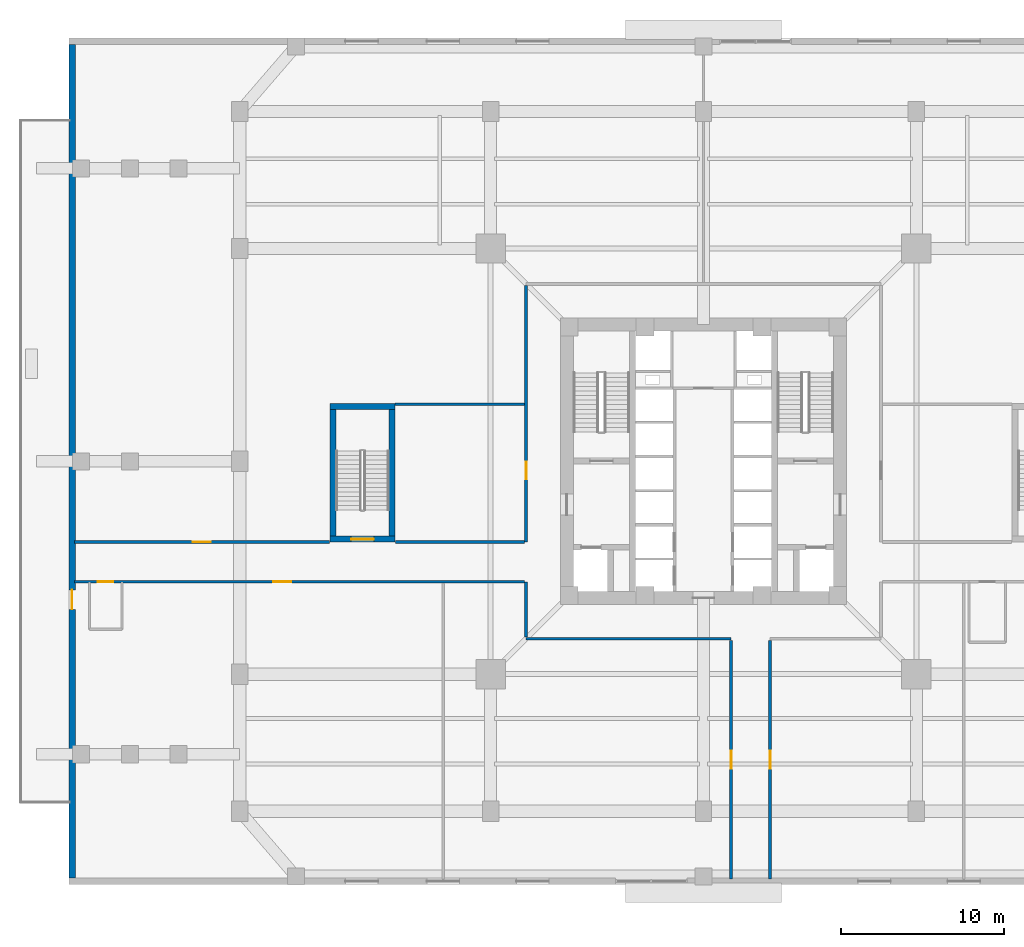
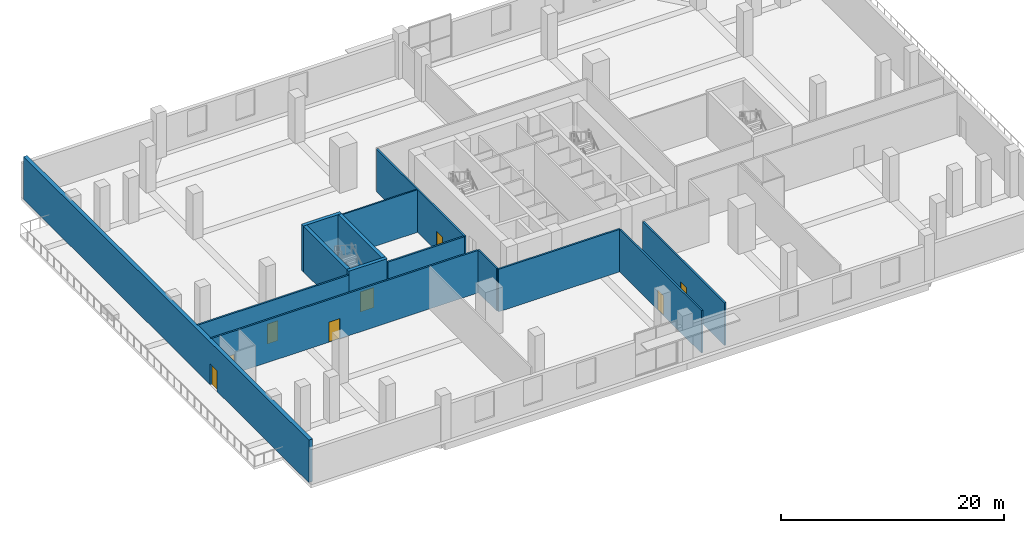
# One storey, part 6 of 17: 14 walls, 8 doors, 8 openings.
"""IFC4 building model written with IfcOpenShell, lengths in metres."""

from ifc_helpers import new_model, si_unit, direction, frame, frame_2d, origin, place, context, subcontext, project, spatial, rectangle, extrude, source, transform, mapped, material, layer, layer_set, type_object, element, fill, save


model = new_model("IFC4")

# Units and contexts
model_context = context("Model", 3, precision=1e-05, world=origin(), true_north=direction((0.0, 1.0)))
body_context = subcontext(model_context, "Body", "Model", "MODEL_VIEW")
ifc_project = project(units=[si_unit("LENGTHUNIT", "METRE"), si_unit("AREAUNIT", "SQUARE_METRE"), si_unit("VOLUMEUNIT", "CUBIC_METRE"), si_unit("PLANEANGLEUNIT", "RADIAN"), si_unit("MASSUNIT", "GRAM", prefix="KILO"), si_unit("THERMODYNAMICTEMPERATUREUNIT", "KELVIN")], contexts=[model_context])

# Site, building, storey
site_placement = place(None, origin())
site = spatial("IfcSite", under=ifc_project, at=site_placement, CompositionType="ELEMENT")
building_placement = place(site_placement, origin())
building = spatial("IfcBuilding", under=site, at=building_placement, Name="Kosmvard Interchange Tower", CompositionType="ELEMENT")
storey_placement = place(building_placement, frame((0.0, 0.0, 6.0)))
storey = spatial("IfcBuildingStorey", under=building, at=storey_placement, Name="L01", CompositionType="ELEMENT", Elevation=6.0)

# Walls
ifc_material_1 = material(Name="Acoustic gypsum partition system")
ifc_layer_1 = layer(ifc_material_1, 0.14990234375, Name="Acoustic gypsum partition system")
ifc_layer_set_1 = layer_set([ifc_layer_1], Name="Acoustic gypsum partition system")
wall_type_1 = type_object("IfcWallType", Name="Acoustic Suite & Meeting Partition 150", PredefinedType="PARTITIONING", material=ifc_layer_set_1)
wall_1_placement = place(storey_placement, frame((-18.9599609375, 3.5, 0.0), z_axis=(0.0, 0.0, 1.0), x_axis=(1.0, 0.0, 0.0)))
element("IfcWall", 1, at=wall_1_placement, inside=storey, type_object=wall_type_1, Name="L01 Room Partition 02.1", PredefinedType="PARTITIONING", context=body_context, shape_type="SweptSolid", body=[
    extrude(rectangle(XDim=7.96484375, YDim=0.14990234375, at=frame_2d((3.982421875, 0.0))), origin(), (0.0, 0.0, 1.0), 4.659912109375),
])
ifc_material_2 = material(Name="Fire-rated gypsum partition system")
ifc_layer_2 = layer(ifc_material_2, 0.179931640625, Name="Fire-rated gypsum partition system")
ifc_layer_set_2 = layer_set([ifc_layer_2], Name="Fire-rated gypsum partition system")
wall_type_2 = type_object("IfcWallType", Name="Corridor & Hotel Compartment Partition 180", PredefinedType="PARTITIONING", material=ifc_layer_set_2)
wall_2_placement = place(storey_placement, frame((-10.89990234375, -10.89990234375, 0.0), z_axis=(0.0, 0.0, 1.0), x_axis=(1.0, 0.0, 0.0)))
element("IfcWall", 2, at=wall_2_placement, inside=storey, type_object=wall_type_2, Name="L01 Corridor Wall CSW", PredefinedType="PARTITIONING", context=body_context, shape_type="SweptSolid", body=[
    extrude(rectangle(XDim=12.599853515625, YDim=0.179931640625, at=frame_2d((6.2998046875, 0.0))), origin(), (0.0, 0.0, 1.0), 4.659912109375),
])
wall_3_placement = place(storey_placement, frame((-10.89990234375, -10.800048828125, 0.0), z_axis=(0.0, 0.0, 1.0), x_axis=(0.0, 1.0, 0.0)))
element("IfcWall", 3, at=wall_3_placement, inside=storey, type_object=wall_type_2, Name="L01 Corridor Wall CWS", PredefinedType="PARTITIONING", context=body_context, shape_type="SweptSolid", body=[
    extrude(rectangle(XDim=3.400146484375, YDim=0.179931640625, at=frame_2d((1.7001953125, 0.0))), origin(), (0.0, 0.0, 1.0), 4.659912109375),
])

# Wall, opening, door
wall_4_placement = place(storey_placement, frame((-10.89990234375, -4.9599609375, 0.0), z_axis=(0.0, 0.0, 1.0), x_axis=(0.0, 1.0, 0.0)))
wall_4 = element("IfcWall", 4, at=wall_4_placement, inside=storey, type_object=wall_type_2, Name="L01 Corridor Wall CWN", PredefinedType="PARTITIONING", context=body_context, shape_type="SweptSolid", body=[
    extrude(rectangle(XDim=15.760009765625, YDim=0.179931640625, at=frame_2d((7.8798828125, 0.0))), origin(), (0.0, 0.0, 1.0), 4.659912109375),
])
opening_1_placement = place(wall_4_placement, frame((3.844482421875, 0.0, 0.0)))
opening_1 = element("IfcOpeningElement", 5, at=opening_1_placement, cuts=wall_4, Name="Opening L01-D05", PredefinedType="OPENING", context=body_context, shape_type="SweptSolid", body=[
    extrude(rectangle(XDim=1.10009765625, YDim=2.199951171875, at=frame_2d((0.550048828125, 1.10009765625))), frame((0.0, 0.10009765625, 0.0), z_axis=(0.0, -1.0, 0.0), x_axis=(1.0, 0.0, 0.0)), (0.0, 0.0, 1.0), 0.199951171875),
])
ifc_material_3 = material(Name="Engineered oak fire-rated timber", Category="wood")
door_type_1 = type_object("IfcDoorType", Name="Office Suite Entrance Door 1100x2200 FD30S", OperationType="NOTDEFINED", PredefinedType="DOOR", material=ifc_material_3)
shared_shape_1 = source(origin(), body_context, "Body", "SweptSolid", [
    extrude(rectangle(XDim=1.10009765625, YDim=2.199951171875, at=frame_2d((0.550048828125, 1.10009765625))), frame((0.0, 0.02490234375, 0.0), z_axis=(0.0, -1.0, 0.0), x_axis=(1.0, 0.0, 0.0)), (0.0, 0.0, 1.0), 0.050048828125),
])
door_1_placement = place(opening_1_placement, origin())
door_1 = element("IfcDoor", 6, at=door_1_placement, inside=storey, type_object=door_type_1, Name="L01 L01 Restaurant Catering Kitchen Door", OperationType="SINGLE_SWING_LEFT", OverallHeight=2.199951171875, OverallWidth=1.10009765625, PredefinedType="DOOR", context=body_context, shape_type="MappedRepresentation", body=[
    mapped(shared_shape_1, transform((0.0, 0.0, 0.0), scale=1.0)),
])
fill(opening_1, door_1)

# Wall, openings, doors
wall_5_placement = place(storey_placement, frame((-38.6650390625, -7.39990234375, 0.0), z_axis=(0.0, 0.0, 1.0), x_axis=(1.0, 0.0, 0.0)))
wall_5 = element("IfcWall", 7, at=wall_5_placement, inside=storey, type_object=wall_type_2, Name="L01 Corridor Wall SWS", PredefinedType="PARTITIONING", context=body_context, shape_type="SweptSolid", body=[
    extrude(rectangle(XDim=27.6650390625, YDim=0.179931640625, at=frame_2d((13.83251953125, 0.0))), origin(), (0.0, 0.0, 1.0), 4.659912109375),
])
opening_2_placement = place(wall_5_placement, frame((1.455078125, 0.0, 0.0)))
opening_2 = element("IfcOpeningElement", 8, at=opening_2_placement, cuts=wall_5, Name="Opening L01-D01", PredefinedType="OPENING", context=body_context, shape_type="SweptSolid", body=[
    extrude(rectangle(XDim=0.949951171875, YDim=2.10009765625, at=frame_2d((0.47509765625, 1.050048828125))), frame((0.0, 0.10009765625, 0.0), z_axis=(0.0, -1.0, 0.0), x_axis=(1.0, 0.0, 0.0)), (0.0, 0.0, 1.0), 0.199951171875),
])
opening_3_placement = place(wall_5_placement, frame((12.241455078125, 0.0, 0.0)))
opening_3 = element("IfcOpeningElement", 9, at=opening_3_placement, cuts=wall_5, Name="Opening L01-D07", PredefinedType="OPENING", context=body_context, shape_type="SweptSolid", body=[
    extrude(rectangle(XDim=1.10009765625, YDim=2.199951171875, at=frame_2d((0.550048828125, 1.10009765625))), frame((0.0, 0.10009765625, 0.0), z_axis=(0.0, -1.0, 0.0), x_axis=(1.0, 0.0, 0.0)), (0.0, 0.0, 1.0), 0.199951171875),
])
ifc_material_4 = material(Name="Laminated moisture-resistant timber", Category="wood")
door_type_2 = type_object("IfcDoorType", Name="Accessible Washroom Door 950x2100", OperationType="NOTDEFINED", PredefinedType="DOOR", material=ifc_material_4)
shared_shape_2 = source(origin(), body_context, "Body", "SweptSolid", [
    extrude(rectangle(XDim=0.949951171875, YDim=2.10009765625, at=frame_2d((0.47509765625, 1.050048828125))), frame((0.0, 0.02490234375, 0.0), z_axis=(0.0, -1.0, 0.0), x_axis=(1.0, 0.0, 0.0)), (0.0, 0.0, 1.0), 0.050048828125),
])
door_2_placement = place(opening_2_placement, frame((0.949951171875, 0.0, 0.0), z_axis=(0.0, 0.0, 1.0), x_axis=(-1.0, 0.0, 0.0)))
door_2 = element("IfcDoor", 10, at=door_2_placement, inside=storey, type_object=door_type_2, Name="L01 Accessible Toilet Door", OperationType="SINGLE_SWING_LEFT", OverallHeight=2.10009765625, OverallWidth=0.949951171875, PredefinedType="DOOR", context=body_context, shape_type="MappedRepresentation", body=[
    mapped(shared_shape_2, transform((0.0, 0.0, 0.0), scale=1.0)),
])
fill(opening_2, door_2)
door_3_placement = place(opening_3_placement, frame((1.10009765625, 0.0, 0.0), z_axis=(0.0, 0.0, 1.0), x_axis=(-1.0, 0.0, 0.0)))
door_3 = element("IfcDoor", 11, at=door_3_placement, inside=storey, type_object=door_type_1, Name="L01 L01 West Cascade Terrace Shop Door", OperationType="SINGLE_SWING_LEFT", OverallHeight=2.199951171875, OverallWidth=1.10009765625, PredefinedType="DOOR", context=body_context, shape_type="MappedRepresentation", body=[
    mapped(shared_shape_1, transform((0.0, 0.0, 0.0), scale=1.0)),
])
fill(opening_3, door_3)

# Wall, opening, door
wall_6_placement = place(storey_placement, frame((-38.6650390625, -4.9599609375, 0.0), z_axis=(0.0, 0.0, 1.0), x_axis=(1.0, 0.0, 0.0)))
wall_6 = element("IfcWall", 12, at=wall_6_placement, inside=storey, type_object=wall_type_2, Name="L01 Corridor Wall SWN1", PredefinedType="PARTITIONING", context=body_context, shape_type="SweptSolid", body=[
    extrude(rectangle(XDim=15.68505859375, YDim=0.179931640625, at=frame_2d((7.842529296875, 0.0))), origin(), (0.0, 0.0, 1.0), 4.659912109375),
])
opening_4_placement = place(wall_6_placement, frame((7.29248046875, 0.0, 0.0)))
opening_4 = element("IfcOpeningElement", 13, at=opening_4_placement, cuts=wall_6, Name="Opening L01-D03", PredefinedType="OPENING", context=body_context, shape_type="SweptSolid", body=[
    extrude(rectangle(XDim=1.10009765625, YDim=2.199951171875, at=frame_2d((0.550048828125, 1.10009765625))), frame((0.0, 0.10009765625, 0.0), z_axis=(0.0, -1.0, 0.0), x_axis=(1.0, 0.0, 0.0)), (0.0, 0.0, 1.0), 0.199951171875),
])
door_4_placement = place(opening_4_placement, origin())
door_4 = element("IfcDoor", 14, at=door_4_placement, inside=storey, type_object=door_type_1, Name="L01 L01 West Retail Gallery Door", OperationType="SINGLE_SWING_LEFT", OverallHeight=2.199951171875, OverallWidth=1.10009765625, PredefinedType="DOOR", context=body_context, shape_type="MappedRepresentation", body=[
    mapped(shared_shape_1, transform((0.0, 0.0, 0.0), scale=1.0)),
])
fill(opening_4, door_4)

# Wall
wall_7_placement = place(storey_placement, frame((-18.919921875, -4.9599609375, 0.0), z_axis=(0.0, 0.0, 1.0), x_axis=(1.0, 0.0, 0.0)))
element("IfcWall", 15, at=wall_7_placement, inside=storey, type_object=wall_type_2, Name="L01 Corridor Wall SWN2", PredefinedType="PARTITIONING", context=body_context, shape_type="SweptSolid", body=[
    extrude(rectangle(XDim=7.919921875, YDim=0.179931640625, at=frame_2d((3.9599609375, 0.0))), origin(), (0.0, 0.0, 1.0), 4.659912109375),
])

# Wall, opening, door
wall_8_placement = place(storey_placement, frame((1.699951171875, -25.6650390625, 0.0), z_axis=(0.0, 0.0, 1.0), x_axis=(0.0, 1.0, 0.0)))
wall_8 = element("IfcWall", 16, at=wall_8_placement, inside=storey, type_object=wall_type_2, Name="L01 Corridor Wall SSW", PredefinedType="PARTITIONING", context=body_context, shape_type="SweptSolid", body=[
    extrude(rectangle(XDim=14.6650390625, YDim=0.179931640625, at=frame_2d((7.33251953125, 0.0))), origin(), (0.0, 0.0, 1.0), 4.659912109375),
])
opening_5_placement = place(wall_8_placement, frame((6.782470703125, 0.0, 0.0)))
opening_5 = element("IfcOpeningElement", 17, at=opening_5_placement, cuts=wall_8, Name="Opening L01-D08", PredefinedType="OPENING", context=body_context, shape_type="SweptSolid", body=[
    extrude(rectangle(XDim=1.10009765625, YDim=2.199951171875, at=frame_2d((0.550048828125, 1.10009765625))), frame((0.0, 0.10009765625, 0.0), z_axis=(0.0, -1.0, 0.0), x_axis=(1.0, 0.0, 0.0)), (0.0, 0.0, 1.0), 0.199951171875),
])
door_5_placement = place(opening_5_placement, origin())
door_5 = element("IfcDoor", 18, at=door_5_placement, inside=storey, type_object=door_type_1, Name="L01 L01 Passenger Dining Restaurant Door", OperationType="SINGLE_SWING_RIGHT", OverallHeight=2.199951171875, OverallWidth=1.10009765625, PredefinedType="DOOR", context=body_context, shape_type="MappedRepresentation", body=[
    mapped(shared_shape_1, transform((0.0, 0.0, 0.0), scale=1.0)),
])
fill(opening_5, door_5)

wall_9_placement = place(storey_placement, frame((4.10009765625, -25.6650390625, 0.0), z_axis=(0.0, 0.0, 1.0), x_axis=(0.0, 1.0, 0.0)))
wall_9 = element("IfcWall", 19, at=wall_9_placement, inside=storey, type_object=wall_type_2, Name="L01 Corridor Wall SSE", PredefinedType="PARTITIONING", context=body_context, shape_type="SweptSolid", body=[
    extrude(rectangle(XDim=14.6650390625, YDim=0.179931640625, at=frame_2d((7.33251953125, 0.0))), origin(), (0.0, 0.0, 1.0), 4.659912109375),
])
opening_6_placement = place(wall_9_placement, frame((6.782470703125, 0.0, 0.0)))
opening_6 = element("IfcOpeningElement", 20, at=opening_6_placement, cuts=wall_9, Name="Opening L01-D09", PredefinedType="OPENING", context=body_context, shape_type="SweptSolid", body=[
    extrude(rectangle(XDim=1.10009765625, YDim=2.199951171875, at=frame_2d((0.550048828125, 1.10009765625))), frame((0.0, 0.10009765625, 0.0), z_axis=(0.0, -1.0, 0.0), x_axis=(1.0, 0.0, 0.0)), (0.0, 0.0, 1.0), 0.199951171875),
])
door_6_placement = place(opening_6_placement, frame((1.10009765625, 0.0, 0.0), z_axis=(0.0, 0.0, 1.0), x_axis=(-1.0, 0.0, 0.0)))
door_6 = element("IfcDoor", 21, at=door_6_placement, inside=storey, type_object=door_type_1, Name="L01 L01 Espresso Terrace Bistro Door", OperationType="SINGLE_SWING_LEFT", OverallHeight=2.199951171875, OverallWidth=1.10009765625, PredefinedType="DOOR", context=body_context, shape_type="MappedRepresentation", body=[
    mapped(shared_shape_1, transform((0.0, 0.0, 0.0), scale=1.0)),
])
fill(opening_6, door_6)

ifc_material_5 = material(Name="Precast concrete C45/55", Category="concrete")
ifc_layer_3 = layer(ifc_material_5, 0.39990234375, Name="Precast concrete C45/55")
ifc_layer_set_3 = layer_set([ifc_layer_3], Name="Precast concrete C45/55")
wall_type_3 = type_object("IfcWallType", Name="Podium Precast Stone Pier Wall 400 C45/55", PredefinedType="STANDARD", material=ifc_layer_set_3)
wall_10_placement = place(storey_placement, frame((-38.800048828125, -25.60009765625, 0.0), z_axis=(0.0, 0.0, 1.0), x_axis=(0.0, 1.0, 0.0)))
wall_10 = element("IfcWall", 22, at=wall_10_placement, inside=storey, type_object=wall_type_3, Name="L01 Podium Precast Wall EW-W", PredefinedType="STANDARD", context=body_context, shape_type="SweptSolid", body=[
    extrude(rectangle(XDim=51.2001953125, YDim=0.39990234375, at=frame_2d((25.60009765625, 0.0))), origin(), (0.0, 0.0, 1.0), 4.659912109375),
])
opening_7_placement = place(wall_10_placement, frame((16.5, 0.0, 0.0)))
opening_7 = element("IfcOpeningElement", 23, at=opening_7_placement, cuts=wall_10, Name="Opening L01-TDW", PredefinedType="OPENING", context=body_context, shape_type="SweptSolid", body=[
    extrude(rectangle(XDim=1.199951171875, YDim=2.300048828125, at=frame_2d((0.60009765625, 1.14990234375))), frame((0.0, 0.2099609375, 0.0), z_axis=(0.0, -1.0, 0.0), x_axis=(1.0, 0.0, 0.0)), (0.0, 0.0, 1.0), 0.419921875),
])
ifc_material_6 = material(Name="Anodised aluminium and safety glass", Category="aluminium")
door_type_3 = type_object("IfcDoorType", Name="Cascade Terrace Glazed Door 1200x2300", OperationType="NOTDEFINED", PredefinedType="DOOR", material=ifc_material_6)
shared_shape_3 = source(origin(), body_context, "Body", "SweptSolid", [
    extrude(rectangle(XDim=1.199951171875, YDim=2.300048828125, at=frame_2d((0.60009765625, 1.14990234375))), frame((0.0, 0.02490234375, 0.0), z_axis=(0.0, -1.0, 0.0), x_axis=(1.0, 0.0, 0.0)), (0.0, 0.0, 1.0), 0.050048828125),
])
door_7_placement = place(opening_7_placement, frame((1.199951171875, 0.0, 0.0), z_axis=(0.0, 0.0, 1.0), x_axis=(-1.0, 0.0, 0.0)))
door_7 = element("IfcDoor", 24, at=door_7_placement, inside=storey, type_object=door_type_3, Name="L01 West Cascading Terrace Door", OperationType="SINGLE_SWING_LEFT", OverallHeight=2.300048828125, OverallWidth=1.199951171875, PredefinedType="DOOR", context=body_context, shape_type="MappedRepresentation", body=[
    mapped(shared_shape_3, transform((0.0, 0.0, 0.0), scale=1.0)),
])
fill(opening_7, door_7)

ifc_material_7 = material(Name="Concrete C60/75", Category="concrete")
ifc_layer_4 = layer(ifc_material_7, 0.360107421875, Name="Concrete C60/75")
ifc_layer_set_4 = layer_set([ifc_layer_4], Name="Concrete C60/75")
wall_type_4 = type_object("IfcWallType", Name="Stair & Lift Shaft Shear Wall 360 C60/75", PredefinedType="SHEAR", material=ifc_layer_set_4)
wall_11_placement = place(storey_placement, frame((-22.93994140625, -4.780029296875, 0.0), z_axis=(0.0, 0.0, 1.0), x_axis=(1.0, 0.0, 0.0)))
wall_11 = element("IfcWall", 25, at=wall_11_placement, inside=storey, type_object=wall_type_4, Name="L01 Podium Stair Shear Wall ST3S", PredefinedType="SHEAR", context=body_context, shape_type="SweptSolid", body=[
    extrude(rectangle(XDim=3.97998046875, YDim=0.360107421875, at=frame_2d((1.989990234375, 0.0))), origin(), (0.0, 0.0, 1.0), 5.0),
])
opening_8_placement = place(wall_11_placement, frame((1.2900390625, 0.0, 0.0)))
opening_8 = element("IfcOpeningElement", 26, at=opening_8_placement, cuts=wall_11, Name="Opening L01-SD3", PredefinedType="OPENING", context=body_context, shape_type="SweptSolid", body=[
    extrude(rectangle(XDim=1.39990234375, YDim=2.199951171875, at=frame_2d((0.699951171875, 1.10009765625))), frame((0.0, 0.18994140625, 0.0), z_axis=(0.0, -1.0, 0.0), x_axis=(1.0, 0.0, 0.0)), (0.0, 0.0, 1.0), 0.380126953125),
])
ifc_material_8 = material(Name="Painted fire-rated steel leaf", Category="steel")
door_type_4 = type_object("IfcDoorType", Name="Protected Stair Door 1400x2200 FD60S", OperationType="NOTDEFINED", PredefinedType="DOOR", material=ifc_material_8)
shared_shape_4 = source(origin(), body_context, "Body", "SweptSolid", [
    extrude(rectangle(XDim=1.39990234375, YDim=2.199951171875, at=frame_2d((0.699951171875, 1.10009765625))), frame((0.0, 0.02490234375, 0.0), z_axis=(0.0, -1.0, 0.0), x_axis=(1.0, 0.0, 0.0)), (0.0, 0.0, 1.0), 0.050048828125),
])
door_8_placement = place(opening_8_placement, origin())
door_8 = element("IfcDoor", 27, at=door_8_placement, inside=storey, type_object=door_type_4, Name="L01 Podium Stair ST3 Door", OperationType="SINGLE_SWING_LEFT", OverallHeight=2.199951171875, OverallWidth=1.39990234375, PredefinedType="DOOR", context=body_context, shape_type="MappedRepresentation", body=[
    mapped(shared_shape_4, transform((0.0, 0.0, 0.0), scale=1.0)),
])
fill(opening_8, door_8)

# Walls
wall_12_placement = place(storey_placement, frame((-22.93994140625, 3.3798828125, 0.0), z_axis=(0.0, 0.0, 1.0), x_axis=(1.0, 0.0, 0.0)))
element("IfcWall", 28, at=wall_12_placement, inside=storey, type_object=wall_type_4, Name="L01 Podium Stair Shear Wall ST3N", PredefinedType="SHEAR", context=body_context, shape_type="SweptSolid", body=[
    extrude(rectangle(XDim=3.97998046875, YDim=0.360107421875, at=frame_2d((1.989990234375, 0.0))), origin(), (0.0, 0.0, 1.0), 5.0),
])
for number, where, z_axis, x_axis, name in (
    (29, (-22.760009765625, -4.60009765625, 0.0), (0.0, 0.0, 1.0), (0.0, 1.0, 0.0), "L01 Podium Stair Shear Wall ST3W"),
    (30, (-19.139892578125, -4.60009765625, 0.0), (0.0, 0.0, 1.0), (0.0, 1.0, 0.0), "L01 Podium Stair Shear Wall ST3E"),
):
    element("IfcWall", number, at=place(storey_placement, frame(where, z_axis=z_axis, x_axis=x_axis)), inside=storey, type_object=wall_type_4, Name=name, PredefinedType="SHEAR", context=body_context, shape_type="SweptSolid", body=[
        extrude(rectangle(XDim=7.800048828125, YDim=0.360107421875, at=frame_2d((3.89990234375, 0.0))), origin(), (0.0, 0.0, 1.0), 5.0),
    ])

save(model, "model.ifc")
